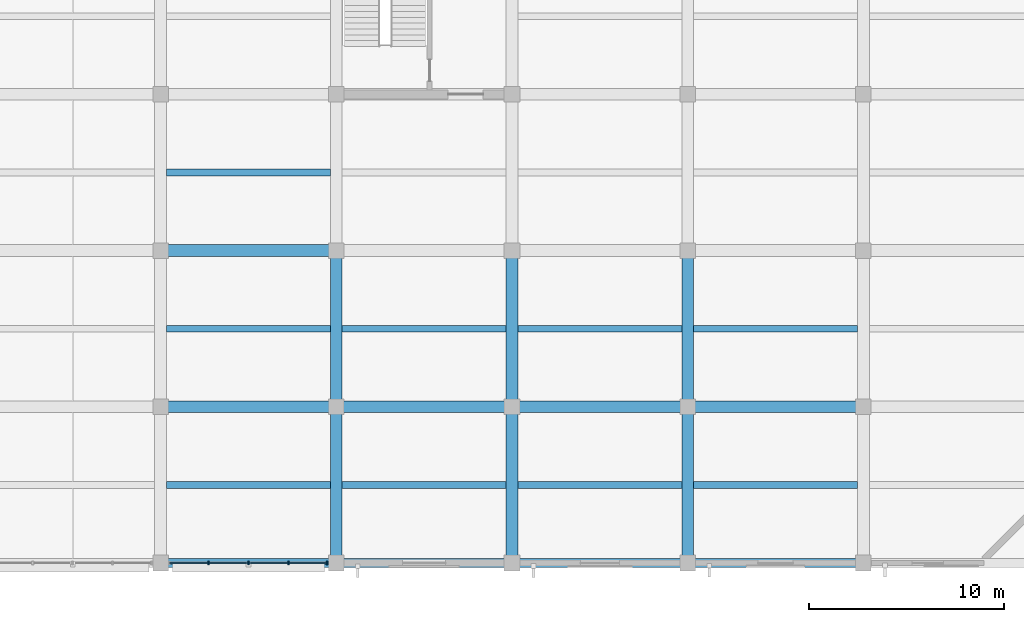
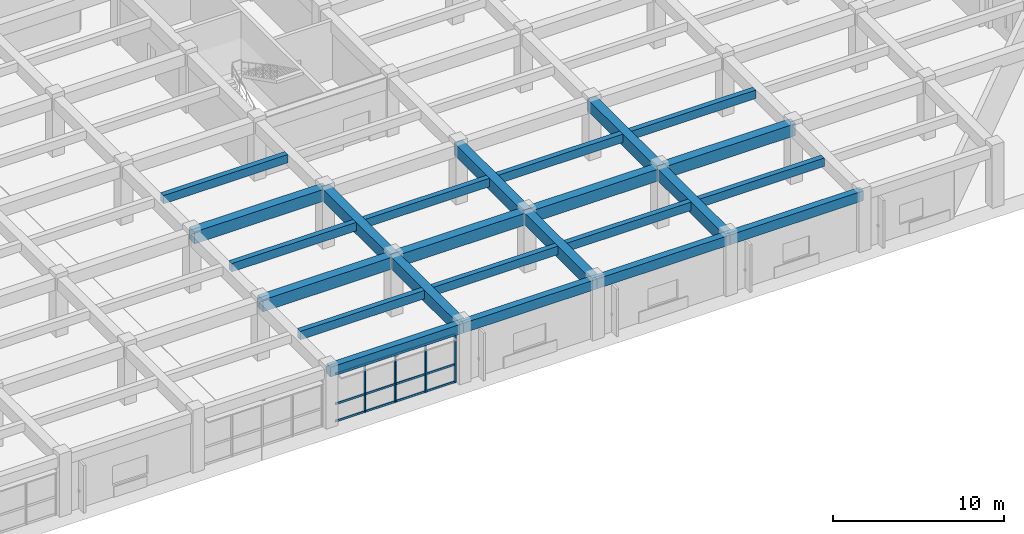
# One storey, part 18 of 50: 24 beams, 7 members, 1 element without a shape of its own.
"""IFC4 building model written with IfcOpenShell, lengths in metres."""

from ifc_helpers import new_model, si_unit, direction, frame, origin, origin_2d, place, context, subcontext, project, spatial, rectangle, extrude, material, material_profile, profile_set, type_object, element, aggregate, save


model = new_model("IFC4")

# Units and contexts
model_context = context("Model", 3, precision=1e-05, world=origin(), true_north=direction((0.0, 1.0)))
body_context = subcontext(model_context, "Body", "Model", "MODEL_VIEW")
ifc_project = project(units=[si_unit("LENGTHUNIT", "METRE"), si_unit("AREAUNIT", "SQUARE_METRE"), si_unit("VOLUMEUNIT", "CUBIC_METRE"), si_unit("PLANEANGLEUNIT", "RADIAN"), si_unit("MASSUNIT", "GRAM", prefix="KILO")], contexts=[model_context])

# Site, building, storey
site_placement = place(None, origin())
site = spatial("IfcSite", under=ifc_project, at=site_placement, CompositionType="ELEMENT")
building_placement = place(site_placement, origin())
building = spatial("IfcBuilding", under=site, at=building_placement, Name="Zaverband Oceanarium and Marine Research Institute", CompositionType="ELEMENT")
storey_placement = place(building_placement, frame((0.0, 0.0, 4.5)))
storey = spatial("IfcBuildingStorey", under=building, at=storey_placement, Name="L01", CompositionType="ELEMENT", Elevation=4.5)

# Beams
ifc_material_1 = material(Name="Concrete C40/50", Category="concrete")
ifc_material_profile_1 = material_profile(ifc_material_1, rectangle(XDim=0.60009765625, YDim=0.85009765625, at=origin_2d()), Name="RC600x850")
ifc_profile_set_1 = profile_set([ifc_material_profile_1], Name="Concrete C40/50")
beam_type_1 = type_object("IfcBeamType", Name="BM-600x850", PredefinedType="BEAM", material=ifc_profile_set_1)
for number, where, z_axis, x_axis, name in (
    (1, (126.0, 8.0, 3.7548828125), (1.0, 0.0, 0.0), (0.0, 1.0, 0.0), "Primary floor girder BM-600x850"),
    (2, (135.0, 8.0, 3.7548828125), (1.0, 0.0, 0.0), (0.0, 1.0, 0.0), "Primary floor girder BM-600x850"),
    (3, (144.0, 8.0, 3.7548828125), (1.0, 0.0, 0.0), (0.0, 1.0, 0.0), "Primary floor girder BM-600x850"),
    (4, (153.0, 8.0, 3.7548828125), (1.0, 0.0, 0.0), (0.0, 1.0, 0.0), "Primary floor girder BM-600x850"),
    (5, (126.0, 16.0, 3.7548828125), (1.0, 0.0, 0.0), (0.0, 1.0, 0.0), "Primary floor girder BM-600x850"),
):
    element("IfcBeam", number, at=place(storey_placement, frame(where, z_axis=z_axis, x_axis=x_axis)), inside=storey, type_object=beam_type_1, Name=name, PredefinedType="BEAM", context=body_context, shape_type="SweptSolid", body=[
        extrude(rectangle(XDim=0.60009765625, YDim=0.85009765625, at=origin_2d()), origin(), (0.0, 0.0, 1.0), 9.0),
    ])
for number, where, z_axis, x_axis, name in (
    (6, (135.0, 0.0, 3.7548828125), (0.0, 1.0, 0.0), (-1.0, 0.0, 0.0), "Primary floor girder BM-600x850"),
    (7, (135.0, 8.0, 3.7548828125), (0.0, 1.0, 0.0), (-1.0, 0.0, 0.0), "Primary floor girder BM-600x850"),
    (8, (144.0, 0.0, 3.7548828125), (0.0, 1.0, 0.0), (-1.0, 0.0, 0.0), "Primary floor girder BM-600x850"),
    (9, (144.0, 8.0, 3.7548828125), (0.0, 1.0, 0.0), (-1.0, 0.0, 0.0), "Primary floor girder BM-600x850"),
    (10, (153.0, 0.0, 3.7548828125), (0.0, 1.0, 0.0), (-1.0, 0.0, 0.0), "Primary floor girder BM-600x850"),
    (11, (153.0, 8.0, 3.7548828125), (0.0, 1.0, 0.0), (-1.0, 0.0, 0.0), "Primary floor girder BM-600x850"),
):
    element("IfcBeam", number, at=place(storey_placement, frame(where, z_axis=z_axis, x_axis=x_axis)), inside=storey, type_object=beam_type_1, Name=name, PredefinedType="BEAM", context=body_context, shape_type="SweptSolid", body=[
        extrude(rectangle(XDim=0.60009765625, YDim=0.85009765625, at=origin_2d()), origin(), (0.0, 0.0, 1.0), 8.0),
    ])
ifc_material_profile_2 = material_profile(ifc_material_1, rectangle(XDim=0.35009765625, YDim=0.60009765625, at=origin_2d()), Name="RC350x600")
ifc_profile_set_2 = profile_set([ifc_material_profile_2], Name="Concrete C40/50")
beam_type_2 = type_object("IfcBeamType", Name="JST-350x600", PredefinedType="JOIST", material=ifc_profile_set_2)
for number, where, z_axis, x_axis, name in (
    (12, (126.300048828125, 4.0, 3.8798828125), (1.0, 0.0, 0.0), (0.0, 1.0, 0.0), "Secondary floor joist JST-350x600"),
    (13, (126.300048828125, 12.0, 3.8798828125), (1.0, 0.0, 0.0), (0.0, 1.0, 0.0), "Secondary floor joist JST-350x600"),
    (14, (126.300048828125, 20.0, 3.8798828125), (1.0, 0.0, 0.0), (0.0, 1.0, 0.0), "Secondary floor joist JST-350x600"),
    (15, (135.300048828125, 4.0, 3.8798828125), (1.0, 0.0, 0.0), (0.0, 1.0, 0.0), "Secondary floor joist JST-350x600"),
    (16, (135.300048828125, 12.0, 3.8798828125), (1.0, 0.0, 0.0), (0.0, 1.0, 0.0), "Secondary floor joist JST-350x600"),
    (17, (144.300048828125, 4.0, 3.8798828125), (1.0, 0.0, 0.0), (0.0, 1.0, 0.0), "Secondary floor joist JST-350x600"),
    (18, (144.300048828125, 12.0, 3.8798828125), (1.0, 0.0, 0.0), (0.0, 1.0, 0.0), "Secondary floor joist JST-350x600"),
    (19, (153.300048828125, 4.0, 3.8798828125), (1.0, 0.0, 0.0), (0.0, 1.0, 0.0), "Secondary floor joist JST-350x600"),
    (20, (153.300048828125, 12.0, 3.8798828125), (1.0, 0.0, 0.0), (0.0, 1.0, 0.0), "Secondary floor joist JST-350x600"),
):
    element("IfcBeam", number, at=place(storey_placement, frame(where, z_axis=z_axis, x_axis=x_axis)), inside=storey, type_object=beam_type_2, Name=name, PredefinedType="JOIST", context=body_context, shape_type="SweptSolid", body=[
        extrude(rectangle(XDim=0.35009765625, YDim=0.60009765625, at=origin_2d()), origin(), (0.0, 0.0, 1.0), 8.39990234375),
    ])

# Curtain wall, members
ifc_material_2 = material(Name="Thermally broken anodized aluminium and solar-control glass", Category="aluminium")
curtain_wall_type = type_object("IfcCurtainWallType", Name="CW-UNIT-1800", PredefinedType="NOTDEFINED", material=ifc_material_2)
curtain_wall_placement = place(storey_placement, origin())
curtain_wall = element("IfcCurtainWall", 21, at=curtain_wall_placement, inside=storey, type_object=curtain_wall_type, Name="Unitised glazed curtain wall CW-022", PredefinedType="NOTDEFINED")
ifc_material_3 = material(Name="Thermally broken anodized aluminium", Category="aluminium")
ifc_material_profile_3 = material_profile(ifc_material_3, rectangle(XDim=0.080078125, YDim=0.179931640625, at=origin_2d()), Name="AL-MUL-80x180")
ifc_profile_set_3 = profile_set([ifc_material_profile_3], Name="Thermally broken anodized aluminium")
member_type_1 = type_object("IfcMemberType", Name="MUL-80x180", PredefinedType="MULLION", material=ifc_profile_set_3)
member_1_placement = place(storey_placement, frame((128.452392578125, 0.0, 0.0), z_axis=(0.0, 0.0, 1.0), x_axis=(1.0, 0.0, 0.0)))
member_1 = element("IfcMember", 22, at=member_1_placement, type_object=member_type_1, Name="Curtain wall vertical mullion MUL-80x180", PredefinedType="MULLION", context=body_context, shape_type="SweptSolid", body=[
    extrude(rectangle(XDim=0.080078125, YDim=0.179931640625, at=origin_2d()), origin(), (0.0, 0.0, 1.0), 3.4599609375),
])
member_2_placement = place(storey_placement, frame((130.5, 0.0, 0.0), z_axis=(0.0, 0.0, 1.0), x_axis=(1.0, 0.0, 0.0)))
member_2 = element("IfcMember", 23, at=member_2_placement, type_object=member_type_1, Name="Curtain wall vertical mullion MUL-80x180", PredefinedType="MULLION", context=body_context, shape_type="SweptSolid", body=[
    extrude(rectangle(XDim=0.080078125, YDim=0.179931640625, at=origin_2d()), origin(), (0.0, 0.0, 1.0), 3.4599609375),
])
member_3_placement = place(storey_placement, frame((132.547607421875, 0.0, 0.0), z_axis=(0.0, 0.0, 1.0), x_axis=(1.0, 0.0, 0.0)))
member_3 = element("IfcMember", 24, at=member_3_placement, type_object=member_type_1, Name="Curtain wall vertical mullion MUL-80x180", PredefinedType="MULLION", context=body_context, shape_type="SweptSolid", body=[
    extrude(rectangle(XDim=0.080078125, YDim=0.179931640625, at=origin_2d()), origin(), (0.0, 0.0, 1.0), 3.4599609375),
])
member_4_placement = place(storey_placement, frame((134.534912109375, 0.0, 0.0), z_axis=(0.0, 0.0, 1.0), x_axis=(1.0, 0.0, 0.0)))
member_4 = element("IfcMember", 25, at=member_4_placement, type_object=member_type_1, Name="Curtain wall vertical mullion MUL-80x180", PredefinedType="MULLION", context=body_context, shape_type="SweptSolid", body=[
    extrude(rectangle(XDim=0.080078125, YDim=0.179931640625, at=origin_2d()), origin(), (0.0, 0.0, 1.0), 3.4599609375),
])

# Beams
ifc_material_profile_4 = material_profile(ifc_material_1, rectangle(XDim=0.449951171875, YDim=0.699951171875, at=origin_2d()), Name="RC450x700")
ifc_profile_set_4 = profile_set([ifc_material_profile_4], Name="Concrete C40/50")
beam_type_3 = type_object("IfcBeamType", Name="SPN-450x700", PredefinedType="SPANDREL", material=ifc_profile_set_4)
for number, where, z_axis, x_axis, name in (
    (26, (126.0, 0.0, 3.830078125), (1.0, 0.0, 0.0), (0.0, 1.0, 0.0), "Perimeter spandrel beam SPN-450x700"),
    (27, (135.0, 0.0, 3.830078125), (1.0, 0.0, 0.0), (0.0, 1.0, 0.0), "Perimeter spandrel beam SPN-450x700"),
    (28, (144.0, 0.0, 3.830078125), (1.0, 0.0, 0.0), (0.0, 1.0, 0.0), "Perimeter spandrel beam SPN-450x700"),
    (29, (153.0, 0.0, 3.830078125), (1.0, 0.0, 0.0), (0.0, 1.0, 0.0), "Perimeter spandrel beam SPN-450x700"),
):
    element("IfcBeam", number, at=place(storey_placement, frame(where, z_axis=z_axis, x_axis=x_axis)), inside=storey, type_object=beam_type_3, Name=name, PredefinedType="SPANDREL", context=body_context, shape_type="SweptSolid", body=[
        extrude(rectangle(XDim=0.449951171875, YDim=0.699951171875, at=origin_2d()), origin(), (0.0, 0.0, 1.0), 9.0),
    ])

# Member
ifc_material_profile_5 = material_profile(ifc_material_3, rectangle(XDim=0.080078125, YDim=0.139892578125, at=origin_2d()), Name="AL-TRN-80x140")
ifc_profile_set_5 = profile_set([ifc_material_profile_5], Name="Thermally broken anodized aluminium")
member_type_2 = type_object("IfcMemberType", Name="TRN-80x140", PredefinedType="USERDEFINED", material=ifc_profile_set_5)
member_5_placement = place(storey_placement, frame((126.465087890625, 0.0, 0.050048828125), z_axis=(1.0, 0.0, 0.0), x_axis=(0.0, 1.0, 0.0)))
member_5 = element("IfcMember", 30, at=member_5_placement, type_object=member_type_2, Name="Curtain wall horizontal transom TRN-80x140", ObjectType="TRANSOM", PredefinedType="USERDEFINED", context=body_context, shape_type="SweptSolid", body=[
    extrude(rectangle(XDim=0.080078125, YDim=0.139892578125, at=origin_2d()), origin(), (0.0, 0.0, 1.0), 8.06982421875),
])

member_6_placement = place(storey_placement, frame((126.465087890625, 0.0, 1.291015625), z_axis=(1.0, 0.0, 0.0), x_axis=(0.0, 1.0, 0.0)))
member_6 = element("IfcMember", 31, at=member_6_placement, type_object=member_type_2, Name="Curtain wall horizontal transom TRN-80x140", ObjectType="TRANSOM", PredefinedType="USERDEFINED", context=body_context, shape_type="SweptSolid", body=[
    extrude(rectangle(XDim=0.080078125, YDim=0.139892578125, at=origin_2d()), origin(), (0.0, 0.0, 1.0), 8.06982421875),
])

member_7_placement = place(storey_placement, frame((126.465087890625, 0.0, 3.409912109375), z_axis=(1.0, 0.0, 0.0), x_axis=(0.0, 1.0, 0.0)))
member_7 = element("IfcMember", 32, at=member_7_placement, type_object=member_type_2, Name="Curtain wall horizontal transom TRN-80x140", ObjectType="TRANSOM", PredefinedType="USERDEFINED", context=body_context, shape_type="SweptSolid", body=[
    extrude(rectangle(XDim=0.080078125, YDim=0.139892578125, at=origin_2d()), origin(), (0.0, 0.0, 1.0), 8.06982421875),
])

aggregate(curtain_wall, [member_1, member_2, member_3, member_4, member_5, member_6, member_7])

save(model, "model.ifc")
